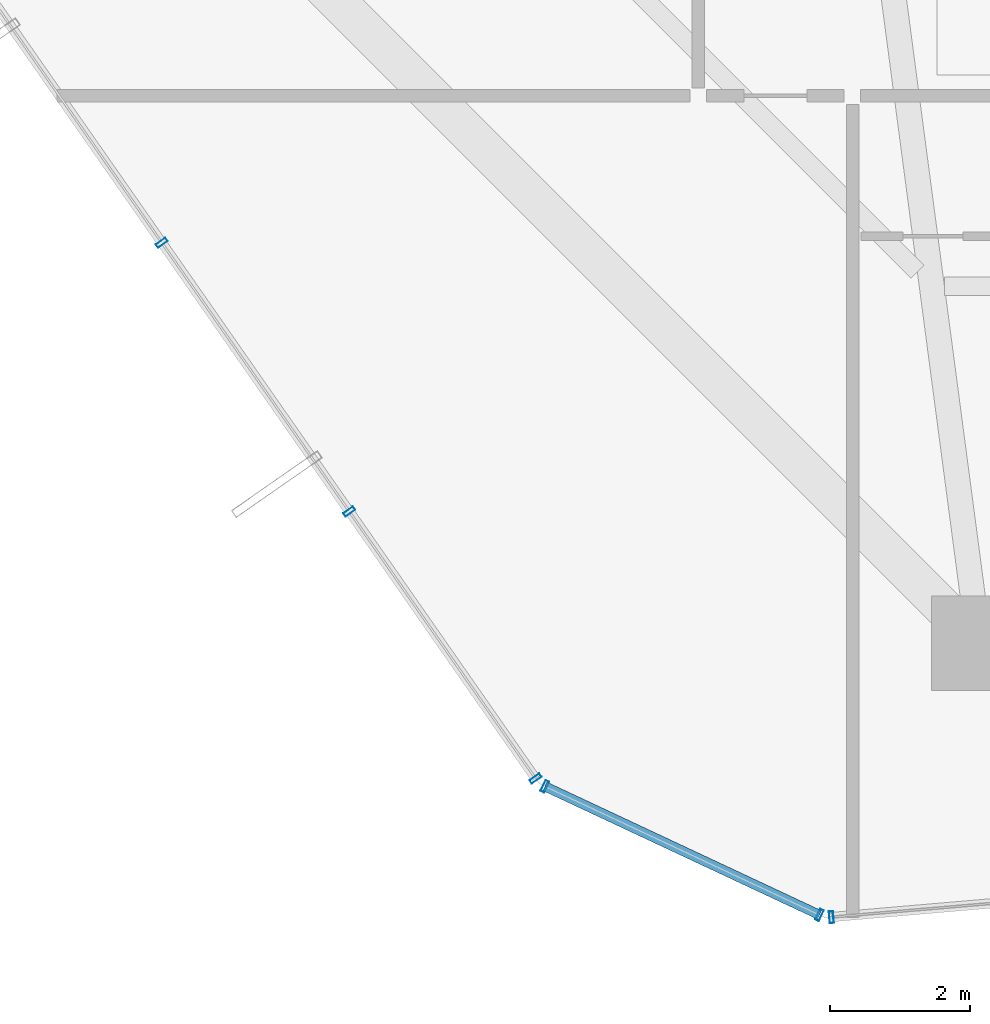
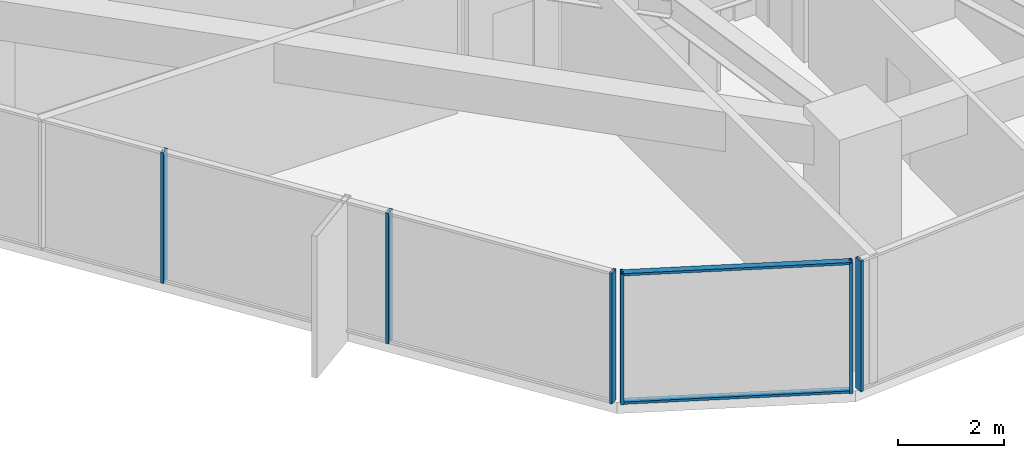
# One storey, part 2 of 37: 8 members, 3 elements without a shape of their own.
"""IFC4 building model written with IfcOpenShell, lengths in metres."""

from ifc_helpers import new_model, si_unit, direction, frame, origin, origin_2d, place, context, subcontext, project, spatial, hollow_rectangle, extrude, source, transform, mapped, material, layer, layer_set, material_profile, profile_set, type_object, element, aggregate, save


model = new_model("IFC4")

# Units and contexts
model_context = context("Model", 3, precision=1e-05, world=origin(), true_north=direction((0.0, 1.0)))
body_context = subcontext(model_context, "Body", "Model", "MODEL_VIEW")
ifc_project = project(units=[si_unit("LENGTHUNIT", "METRE"), si_unit("AREAUNIT", "SQUARE_METRE"), si_unit("VOLUMEUNIT", "CUBIC_METRE"), si_unit("PLANEANGLEUNIT", "RADIAN"), si_unit("MASSUNIT", "GRAM", prefix="KILO")], contexts=[model_context])

# Site, building, storey
site_placement = place(None, origin())
site = spatial("IfcSite", under=ifc_project, at=site_placement, CompositionType="ELEMENT")
building_placement = place(site_placement, origin())
building = spatial("IfcBuilding", under=site, at=building_placement, Name="Veraguas Prism Commons", CompositionType="ELEMENT")
storey_placement = place(building_placement, frame((0.0, 0.0, 40.300048828125)))
storey = spatial("IfcBuildingStorey", under=building, at=storey_placement, Name="L10", CompositionType="ELEMENT", Elevation=40.300048828125)

# Curtain wall, members
ifc_material = material(Name="Anodised aluminium EN AW-6063 T6", Category="aluminium")
ifc_layer = layer(ifc_material, 0.169921875, Name="Unitised Flush Curtain Wall Zone 1", Category="aluminium")
ifc_layer_set = layer_set([ifc_layer], Name="Anodised aluminium EN AW-6063 T6")
curtain_wall_type = type_object("IfcCurtainWallType", Name="Unitised Flush Curtain Wall Zone 1", PredefinedType="NOTDEFINED", material=ifc_layer_set)
curtain_wall_1_placement = place(storey_placement, origin())
curtain_wall_1 = element("IfcCurtainWall", 1, at=curtain_wall_1_placement, inside=storey, type_object=curtain_wall_type, Name="Tower Facade Curtain Wall L10-F4", PredefinedType="NOTDEFINED")
ifc_material_profile_1 = material_profile(ifc_material, hollow_rectangle(XDim=0.06005859375, YDim=0.169921875, WallThickness=0.00390625, at=origin_2d()), Name="AL60X170X4")
ifc_profile_set_1 = profile_set([ifc_material_profile_1], Name="Anodised aluminium EN AW-6063 T6")
member_type_1 = type_object("IfcMemberType", Name="Curtain Wall Mullion Lower AL 60x170x4", PredefinedType="MULLION", material=ifc_profile_set_1)
shared_shape_1 = source(origin(), body_context, "Body", "SweptSolid", [
    extrude(hollow_rectangle(XDim=0.06005859375, YDim=0.169921875, WallThickness=0.00390625, at=origin_2d()), origin(), (0.0, 0.0, 1.0), 3.0),
])
member_1_placement = place(storey_placement, frame((6.953369140625, 12.108154296875, 0.0), z_axis=(0.0, 0.0, 1.0), x_axis=(0.572145873446, -0.820151875874, 0.0)))
member_1 = element("IfcMember", 2, at=member_1_placement, type_object=member_type_1, Name="CW-Z1 Mullion 3", PredefinedType="MULLION", context=body_context, shape_type="MappedRepresentation", body=[
    mapped(shared_shape_1, transform((0.0, 0.0, 0.0), scale=1.0)),
])
member_2_placement = place(storey_placement, frame((9.6259765625, 8.27734375, 0.0), z_axis=(0.0, 0.0, 1.0), x_axis=(0.572145873446, -0.820151875874, 0.0)))
member_2 = element("IfcMember", 3, at=member_2_placement, type_object=member_type_1, Name="CW-Z1 Mullion 4", PredefinedType="MULLION", context=body_context, shape_type="MappedRepresentation", body=[
    mapped(shared_shape_1, transform((0.0, 0.0, 0.0), scale=1.0)),
])
member_3_placement = place(storey_placement, frame((12.28125, 4.470947265625, 0.0), z_axis=(0.0, 0.0, 1.0), x_axis=(0.572145873446, -0.820151875874, 0.0)))
member_3 = element("IfcMember", 4, at=member_3_placement, type_object=member_type_1, Name="CW-Z1 Mullion 5", PredefinedType="MULLION", context=body_context, shape_type="MappedRepresentation", body=[
    mapped(shared_shape_1, transform((0.0, 0.0, 0.0), scale=1.0)),
])
aggregate(curtain_wall_1, [member_1, member_2, member_3])

# Curtain wall, member
curtain_wall_2_placement = place(storey_placement, origin())
curtain_wall_2 = element("IfcCurtainWall", 5, at=curtain_wall_2_placement, inside=storey, type_object=curtain_wall_type, Name="Tower Facade Curtain Wall L10-F5", PredefinedType="NOTDEFINED")
member_4_placement = place(storey_placement, frame((16.49755859375, 2.495849609375, 0.0), z_axis=(0.0, 0.0, 1.0), x_axis=(0.996345296191, 0.085416923137, 0.0)))
member_4 = element("IfcMember", 6, at=member_4_placement, type_object=member_type_1, Name="CW-Z1 Mullion 1", PredefinedType="MULLION", context=body_context, shape_type="MappedRepresentation", body=[
    mapped(shared_shape_1, transform((0.0, 0.0, 0.0), scale=1.0)),
])
aggregate(curtain_wall_2, [member_4])

# Curtain wall, members
curtain_wall_3_placement = place(storey_placement, origin())
curtain_wall_3 = element("IfcCurtainWall", 7, at=curtain_wall_3_placement, inside=storey, type_object=curtain_wall_type, Name="Chamfer Curtain Wall L10-C5", PredefinedType="NOTDEFINED")
member_5_placement = place(storey_placement, frame((12.4140625, 4.35888671875, 0.0), z_axis=(0.0, 0.0, 1.0), x_axis=(0.905581384863, -0.424172553792, 0.0)))
member_5 = element("IfcMember", 8, at=member_5_placement, type_object=member_type_1, Name="CW-Z1 Mullion 1", PredefinedType="MULLION", context=body_context, shape_type="MappedRepresentation", body=[
    mapped(shared_shape_1, transform((0.0, 0.0, 0.0), scale=1.0)),
])
member_6_placement = place(storey_placement, frame((16.326416015625, 2.526611328125, 0.0), z_axis=(0.0, 0.0, 1.0), x_axis=(0.905581384863, -0.424172553792, 0.0)))
member_6 = element("IfcMember", 9, at=member_6_placement, type_object=member_type_1, Name="CW-Z1 Mullion 2", PredefinedType="MULLION", context=body_context, shape_type="MappedRepresentation", body=[
    mapped(shared_shape_1, transform((0.0, 0.0, 0.0), scale=1.0)),
])
ifc_material_profile_2 = material_profile(ifc_material, hollow_rectangle(XDim=0.054931640625, YDim=0.135009765625, WallThickness=0.0029296875, at=origin_2d()), Name="AL55X135X3")
ifc_profile_set_2 = profile_set([ifc_material_profile_2], Name="Anodised aluminium EN AW-6063 T6")
member_type_2 = type_object("IfcMemberType", Name="Curtain Wall Transom Standard AL 55x135x3", PredefinedType="USERDEFINED", material=ifc_profile_set_2)
shared_shape_2 = source(origin(), body_context, "Body", "SweptSolid", [
    extrude(hollow_rectangle(XDim=0.054931640625, YDim=0.135009765625, WallThickness=0.0029296875, at=origin_2d()), origin(), (0.0, 0.0, 1.0), 4.320068359375),
])
member_7_placement = place(storey_placement, frame((12.4140625, 4.35888671875, 0.02734375), z_axis=(0.905604800143, -0.424122560067, 0.0), x_axis=(0.0, 0.0, 1.0)))
member_7 = element("IfcMember", 10, at=member_7_placement, type_object=member_type_2, Name="CW-Z1 Transom 1", ObjectType="TRANSOM", PredefinedType="USERDEFINED", context=body_context, shape_type="MappedRepresentation", body=[
    mapped(shared_shape_2, transform((0.0, 0.0, 0.0), scale=1.0)),
])
member_8_placement = place(storey_placement, frame((12.4140625, 4.35888671875, 2.972412109375), z_axis=(0.905604800143, -0.424122560067, 0.0), x_axis=(0.0, 0.0, 1.0)))
member_8 = element("IfcMember", 11, at=member_8_placement, type_object=member_type_2, Name="CW-Z1 Transom 2", ObjectType="TRANSOM", PredefinedType="USERDEFINED", context=body_context, shape_type="MappedRepresentation", body=[
    mapped(shared_shape_2, transform((0.0, 0.0, 0.0), scale=1.0)),
])
aggregate(curtain_wall_3, [member_5, member_6, member_7, member_8])

save(model, "model.ifc")
